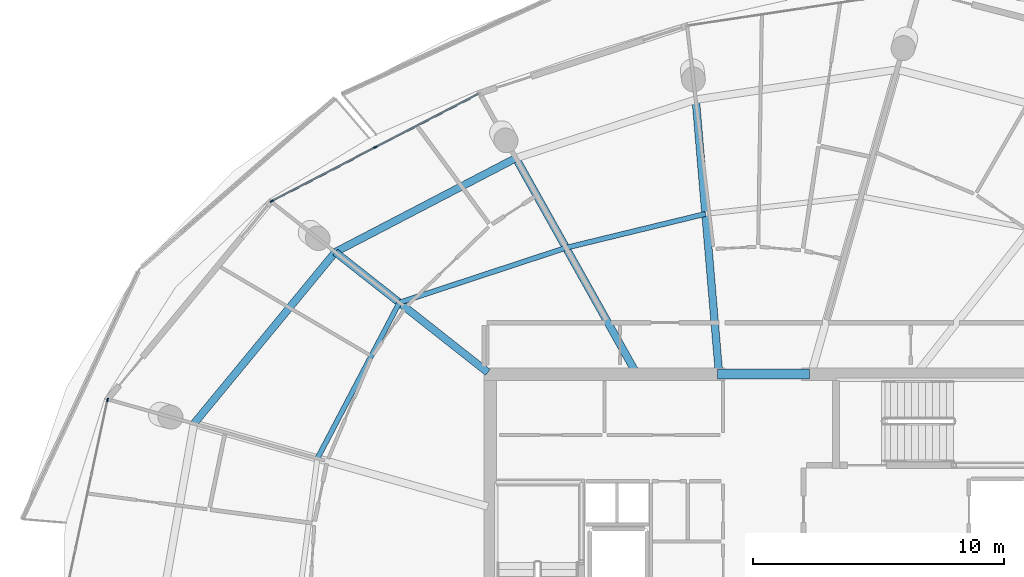
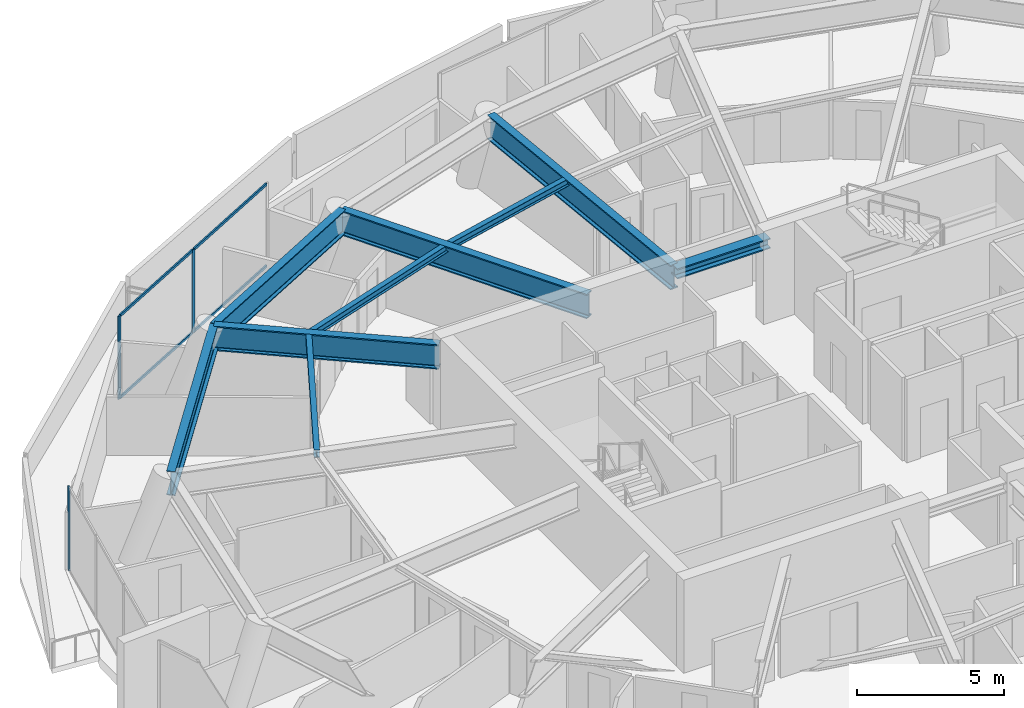
# One storey, part 10 of 24: 9 beams, 7 members, 2 elements without a shape of their own.
"""IFC4 building model written with IfcOpenShell, lengths in metres."""

from ifc_helpers import new_model, si_unit, direction, frame, origin, origin_2d, place, context, subcontext, project, spatial, rectangle, i_section, extrude, material, layer, layer_set, material_profile, profile_set, type_object, element, aggregate, save


model = new_model("IFC4")

# Units and contexts
model_context = context("Model", 3, precision=1e-05, world=origin(), true_north=direction((0.0, 1.0)))
body_context = subcontext(model_context, "Body", "Model", "MODEL_VIEW")
ifc_project = project(units=[si_unit("LENGTHUNIT", "METRE"), si_unit("AREAUNIT", "SQUARE_METRE"), si_unit("VOLUMEUNIT", "CUBIC_METRE"), si_unit("PLANEANGLEUNIT", "RADIAN"), si_unit("MASSUNIT", "GRAM", prefix="KILO")], contexts=[model_context])

# Site, building, storey
site_placement = place(None, origin())
site = spatial("IfcSite", under=ifc_project, at=site_placement, CompositionType="ELEMENT")
building_placement = place(site_placement, origin())
building = spatial("IfcBuilding", under=site, at=building_placement, Name="Kazma Halo Residences", CompositionType="ELEMENT")
storey_placement = place(building_placement, frame((0.0, 0.0, 309.85009765625)))
storey = spatial("IfcBuildingStorey", under=building, at=storey_placement, Name="L78", CompositionType="ELEMENT", Elevation=309.85009765625)

# Beams
ifc_material_1 = material(Name="Steel S355", Category="steel")
ifc_material_profile_1 = material_profile(ifc_material_1, i_section(OverallWidth=0.408935546875, OverallDepth=0.425048828125, WebThickness=0.03271484375, FlangeThickness=0.052490234375, FilletRadius=0.02001953125, at=origin_2d()), Name="W360x421")
ifc_profile_set_1 = profile_set([ifc_material_profile_1], Name="Steel S355")
beam_type_1 = type_object("IfcBeamType", Name="BM-CORE-W360H", PredefinedType="BEAM", material=ifc_profile_set_1)
beam_1_placement = place(storey_placement, frame((46.60009765625, 50.25, 3.2373046875), z_axis=(1.0, 0.0, 0.0), x_axis=(0.0, 1.0, 0.0)))
element("IfcBeam", 1, at=beam_1_placement, inside=storey, type_object=beam_type_1, Name="L78 core coupling beam N", PredefinedType="BEAM", context=body_context, shape_type="SweptSolid", body=[
    extrude(i_section(OverallWidth=0.408935546875, OverallDepth=0.425048828125, WebThickness=0.03271484375, FlangeThickness=0.052490234375, FilletRadius=0.02001953125, at=origin_2d()), origin(), (0.0, 0.0, 1.0), 3.64990234375),
])
ifc_material_profile_2 = material_profile(ifc_material_1, i_section(OverallWidth=0.202880859375, OverallDepth=0.302978515625, WebThickness=0.007568359375, FlangeThickness=0.01318359375, FilletRadius=0.013916015625, at=origin_2d()), Name="W310x60")
ifc_profile_set_2 = profile_set([ifc_material_profile_2], Name="Steel S355")
beam_type_2 = type_object("IfcBeamType", Name="BM-SEC-W310A", PredefinedType="JOIST", material=ifc_profile_set_2)
beam_2_placement = place(storey_placement, frame((46.116455078125, 56.631103515625, 3.29833984375), z_axis=(-0.971680327871, -0.236299260321, 0.0), x_axis=(0.236299260321, -0.971680327871, 0.0)))
element("IfcBeam", 2, at=beam_2_placement, inside=storey, type_object=beam_type_2, Name="L78 circumferential floor joist 04", PredefinedType="JOIST", context=body_context, shape_type="SweptSolid", body=[
    extrude(i_section(OverallWidth=0.202880859375, OverallDepth=0.302978515625, WebThickness=0.007568359375, FlangeThickness=0.01318359375, FilletRadius=0.013916015625, at=origin_2d()), origin(), (0.0, 0.0, 1.0), 5.715576171875),
])
beam_3_placement = place(storey_placement, frame((40.562744140625, 55.280517578125, 3.29833984375), z_axis=(-0.949836914763, -0.312745640024, 0.0), x_axis=(0.312745640024, -0.949836914763, 0.0)))
element("IfcBeam", 3, at=beam_3_placement, inside=storey, type_object=beam_type_2, Name="L78 circumferential floor joist 05", PredefinedType="JOIST", context=body_context, shape_type="SweptSolid", body=[
    extrude(i_section(OverallWidth=0.202880859375, OverallDepth=0.302978515625, WebThickness=0.007568359375, FlangeThickness=0.01318359375, FilletRadius=0.013916015625, at=origin_2d()), origin(), (0.0, 0.0, 1.0), 6.987548828125),
])
beam_4_placement = place(storey_placement, frame((33.92578125, 53.09521484375, 3.29833984375), z_axis=(-0.465641668836, -0.884973353409, 0.0), x_axis=(0.884973353409, -0.465641668836, 0.0)))
element("IfcBeam", 4, at=beam_4_placement, inside=storey, type_object=beam_type_2, Name="L78 circumferential floor joist 06", PredefinedType="JOIST", context=body_context, shape_type="SweptSolid", body=[
    extrude(i_section(OverallWidth=0.202880859375, OverallDepth=0.302978515625, WebThickness=0.007568359375, FlangeThickness=0.01318359375, FilletRadius=0.013916015625, at=origin_2d()), origin(), (0.0, 0.0, 1.0), 7.01171875),
])
ifc_material_profile_3 = material_profile(ifc_material_1, i_section(OverallWidth=0.302001953125, OverallDepth=1.01806640625, WebThickness=0.021484375, FlangeThickness=0.049072265625, FilletRadius=0.028076171875, at=origin_2d()), Name="W1000x443")
ifc_profile_set_3 = profile_set([ifc_material_profile_3], Name="Steel S355")
beam_type_3 = type_object("IfcBeamType", Name="BM-TRANS-W1000A", PredefinedType="BEAM", material=ifc_profile_set_3)
beam_5_placement = place(storey_placement, frame((46.64990234375, 50.35009765625, 2.94091796875), z_axis=(-0.084644186962, 0.996411241212, 0.0), x_axis=(-0.996411241212, -0.084644186962, 0.0)))
element("IfcBeam", 5, at=beam_5_placement, inside=storey, type_object=beam_type_3, Name="L78 podium radial transfer girder 04", PredefinedType="BEAM", context=body_context, shape_type="SweptSolid", body=[
    extrude(i_section(OverallWidth=0.302001953125, OverallDepth=1.01806640625, WebThickness=0.021484375, FlangeThickness=0.049072265625, FilletRadius=0.028076171875, at=origin_2d()), origin(), (0.0, 0.0, 1.0), 10.8681640625),
])
beam_6_placement = place(storey_placement, frame((43.32373046875, 50.35009765625, 2.94091796875), z_axis=(-0.488620919127, 0.872496187608, 0.0), x_axis=(-0.872496187608, -0.488620919127, 0.0)))
element("IfcBeam", 6, at=beam_6_placement, inside=storey, type_object=beam_type_3, Name="L78 podium radial transfer girder 05", PredefinedType="BEAM", context=body_context, shape_type="SweptSolid", body=[
    extrude(i_section(OverallWidth=0.302001953125, OverallDepth=1.01806640625, WebThickness=0.021484375, FlangeThickness=0.049072265625, FilletRadius=0.028076171875, at=origin_2d()), origin(), (0.0, 0.0, 1.0), 9.74267578125),
])
beam_7_placement = place(storey_placement, frame((37.449951171875, 50.31689453125, 2.94091796875), z_axis=(-0.785318728612, 0.619091668892, 0.0), x_axis=(-0.619091668892, -0.785318728612, 0.0)))
element("IfcBeam", 7, at=beam_7_placement, inside=storey, type_object=beam_type_3, Name="L78 podium radial transfer girder 06", PredefinedType="BEAM", context=body_context, shape_type="SweptSolid", body=[
    extrude(i_section(OverallWidth=0.302001953125, OverallDepth=1.01806640625, WebThickness=0.021484375, FlangeThickness=0.049072265625, FilletRadius=0.028076171875, at=origin_2d()), origin(), (0.0, 0.0, 1.0), 7.7373046875),
])
ifc_material_profile_4 = material_profile(ifc_material_1, i_section(OverallWidth=0.300048828125, OverallDepth=1.0, WebThickness=0.01904296875, FlangeThickness=0.0400390625, FilletRadius=0.02587890625, at=origin_2d()), Name="W1000x371")
ifc_profile_set_4 = profile_set([ifc_material_profile_4], Name="Steel S355")
beam_type_4 = type_object("IfcBeamType", Name="BM-TRANS-W1000B", PredefinedType="BEAM", material=ifc_profile_set_4)
beam_8_placement = place(storey_placement, frame((38.563232421875, 58.8505859375, 2.949951171875), z_axis=(-0.886957269655, -0.461851493238, 0.0), x_axis=(0.461851493238, -0.886957269655, 0.0)))
element("IfcBeam", 8, at=beam_8_placement, inside=storey, type_object=beam_type_4, Name="L78 perimeter ring beam 05", PredefinedType="BEAM", context=body_context, shape_type="SweptSolid", body=[
    extrude(i_section(OverallWidth=0.300048828125, OverallDepth=1.0, WebThickness=0.01904296875, FlangeThickness=0.0400390625, FilletRadius=0.02587890625, at=origin_2d()), origin(), (0.0, 0.0, 1.0), 8.105712890625),
])
beam_9_placement = place(storey_placement, frame((31.373779296875, 55.10693359375, 2.949951171875), z_axis=(-0.636004986424, -0.771684946881, 0.0), x_axis=(0.771684946881, -0.636004986424, 0.0)))
element("IfcBeam", 9, at=beam_9_placement, inside=storey, type_object=beam_type_4, Name="L78 perimeter ring beam 06", PredefinedType="BEAM", context=body_context, shape_type="SweptSolid", body=[
    extrude(i_section(OverallWidth=0.300048828125, OverallDepth=1.0, WebThickness=0.01904296875, FlangeThickness=0.0400390625, FilletRadius=0.02587890625, at=origin_2d()), origin(), (0.0, 0.0, 1.0), 8.85107421875),
])

# Curtain wall, members
ifc_material_2 = material(Name="Aluminium AW-6063 T6 and Triple-Silver Low-E Glass", Category="aluminium")
ifc_layer = layer(ifc_material_2, 0.139892578125)
ifc_layer_set = layer_set([ifc_layer], Name="Aluminium AW-6063 T6 and Triple-Silver Low-E Glass")
curtain_wall_type = type_object("IfcCurtainWallType", Name="CW-SYS-5", PredefinedType="NOTDEFINED", material=ifc_layer_set)
curtain_wall_1_placement = place(storey_placement, origin())
curtain_wall_1 = element("IfcCurtainWall", 10, at=curtain_wall_1_placement, inside=storey, type_object=curtain_wall_type, Name="L78 unitised curtain wall B05", PredefinedType="NOTDEFINED")
ifc_material_3 = material(Name="Aluminium AW-6063 T6", Category="aluminium")
ifc_material_profile_5 = material_profile(ifc_material_3, rectangle(XDim=0.06005859375, YDim=0.139892578125, at=origin_2d()), Name="CWM-60x140")
ifc_profile_set_5 = profile_set([ifc_material_profile_5], Name="Aluminium AW-6063 T6")
member_type_1 = type_object("IfcMemberType", Name="CW-SYS-5-MUL", PredefinedType="MULLION", material=ifc_profile_set_5)
member_1_placement = place(storey_placement, frame((32.966064453125, 59.279052734375, 0.0), z_axis=(0.0, 0.0, 1.0), x_axis=(0.460859157438, -0.887473288052, 0.0)))
member_1 = element("IfcMember", 11, at=member_1_placement, type_object=member_type_1, Name="CWS-5 mullion 2", PredefinedType="MULLION", context=body_context, shape_type="SweptSolid", body=[
    extrude(rectangle(XDim=0.06005859375, YDim=0.139892578125, at=origin_2d()), origin(), (0.0, 0.0, 1.0), 3.449951171875),
])
member_2_placement = place(storey_placement, frame((28.84228515625, 57.1376953125, 0.0), z_axis=(0.0, 0.0, 1.0), x_axis=(0.460859157438, -0.887473288052, 0.0)))
member_2 = element("IfcMember", 12, at=member_2_placement, type_object=member_type_1, Name="CWS-5 mullion 3", PredefinedType="MULLION", context=body_context, shape_type="SweptSolid", body=[
    extrude(rectangle(XDim=0.06005859375, YDim=0.139892578125, at=origin_2d()), origin(), (0.0, 0.0, 1.0), 3.449951171875),
])

# Curtain wall, member
curtain_wall_2_placement = place(storey_placement, origin())
curtain_wall_2 = element("IfcCurtainWall", 13, at=curtain_wall_2_placement, inside=storey, type_object=curtain_wall_type, Name="L78 unitised curtain wall B07", PredefinedType="NOTDEFINED")
member_3_placement = place(storey_placement, frame((22.30322265625, 49.216064453125, 0.0), z_axis=(0.0, 0.0, 1.0), x_axis=(0.977766142348, -0.209698285347, 0.0)))
member_3 = element("IfcMember", 14, at=member_3_placement, type_object=member_type_1, Name="CWS-5 mullion 1", PredefinedType="MULLION", context=body_context, shape_type="SweptSolid", body=[
    extrude(rectangle(XDim=0.06005859375, YDim=0.139892578125, at=origin_2d()), origin(), (0.0, 0.0, 1.0), 3.449951171875),
])
aggregate(curtain_wall_2, [member_3])

# Member
ifc_material_profile_6 = material_profile(ifc_material_3, rectangle(XDim=0.06005859375, YDim=0.10498046875, at=origin_2d()), Name="CWT-60x105")
ifc_profile_set_6 = profile_set([ifc_material_profile_6], Name="Aluminium AW-6063 T6")
member_type_2 = type_object("IfcMemberType", Name="CW-SYS-5-TRN", PredefinedType="USERDEFINED", material=ifc_profile_set_6)
member_4_placement = place(storey_placement, frame((37.06298828125, 61.40673828125, 0.02978515625), z_axis=(-0.887465931905, -0.460873322843, 0.0), x_axis=(0.460873322843, -0.887465931905, 0.0)))
member_4 = element("IfcMember", 15, at=member_4_placement, type_object=member_type_2, Name="CWS-5 transom 1.1", ObjectType="TRANSOM", PredefinedType="USERDEFINED", context=body_context, shape_type="SweptSolid", body=[
    extrude(rectangle(XDim=0.06005859375, YDim=0.10498046875, at=origin_2d()), origin(), (0.0, 0.0, 1.0), 4.58642578125),
])

member_5_placement = place(storey_placement, frame((37.06298828125, 61.40673828125, 3.419921875), z_axis=(-0.887465931905, -0.460873322843, 0.0), x_axis=(0.460873322843, -0.887465931905, 0.0)))
member_5 = element("IfcMember", 16, at=member_5_placement, type_object=member_type_2, Name="CWS-5 transom 1.2", ObjectType="TRANSOM", PredefinedType="USERDEFINED", context=body_context, shape_type="SweptSolid", body=[
    extrude(rectangle(XDim=0.06005859375, YDim=0.10498046875, at=origin_2d()), origin(), (0.0, 0.0, 1.0), 4.58642578125),
])

member_6_placement = place(storey_placement, frame((32.939208984375, 59.26513671875, 0.02978515625), z_axis=(-0.887465931905, -0.460873322843, 0.0), x_axis=(0.460873322843, -0.887465931905, 0.0)))
member_6 = element("IfcMember", 17, at=member_6_placement, type_object=member_type_2, Name="CWS-5 transom 2.1", ObjectType="TRANSOM", PredefinedType="USERDEFINED", context=body_context, shape_type="SweptSolid", body=[
    extrude(rectangle(XDim=0.06005859375, YDim=0.10498046875, at=origin_2d()), origin(), (0.0, 0.0, 1.0), 4.58642578125),
])

member_7_placement = place(storey_placement, frame((32.939208984375, 59.26513671875, 3.419921875), z_axis=(-0.887465931905, -0.460873322843, 0.0), x_axis=(0.460873322843, -0.887465931905, 0.0)))
member_7 = element("IfcMember", 18, at=member_7_placement, type_object=member_type_2, Name="CWS-5 transom 2.2", ObjectType="TRANSOM", PredefinedType="USERDEFINED", context=body_context, shape_type="SweptSolid", body=[
    extrude(rectangle(XDim=0.06005859375, YDim=0.10498046875, at=origin_2d()), origin(), (0.0, 0.0, 1.0), 4.58642578125),
])

aggregate(curtain_wall_1, [member_1, member_2, member_4, member_5, member_6, member_7])

save(model, "model.ifc")
